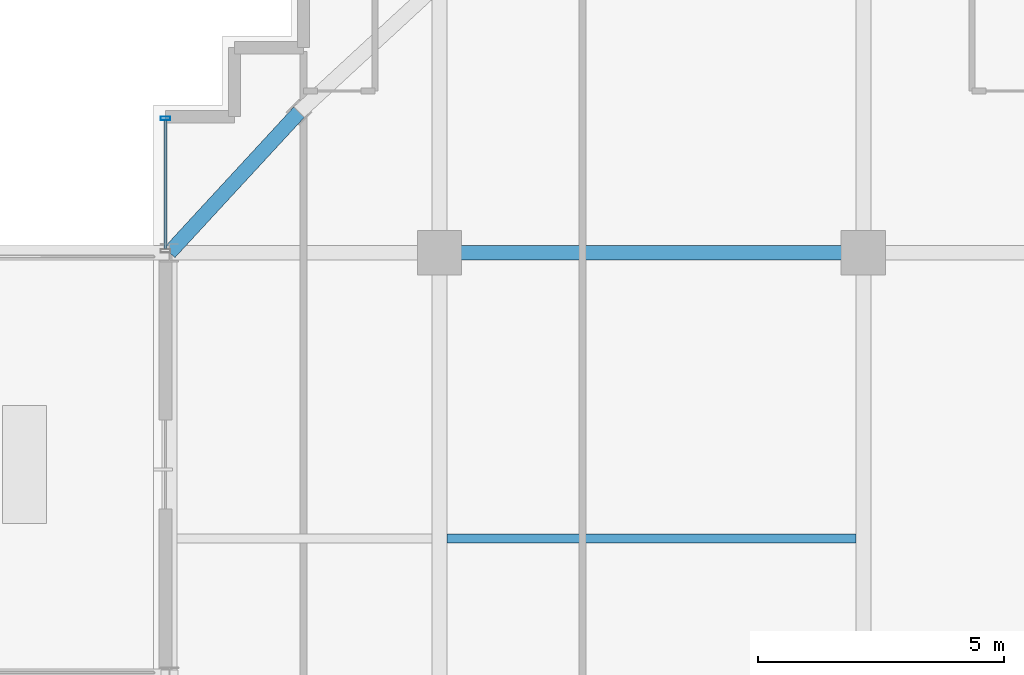
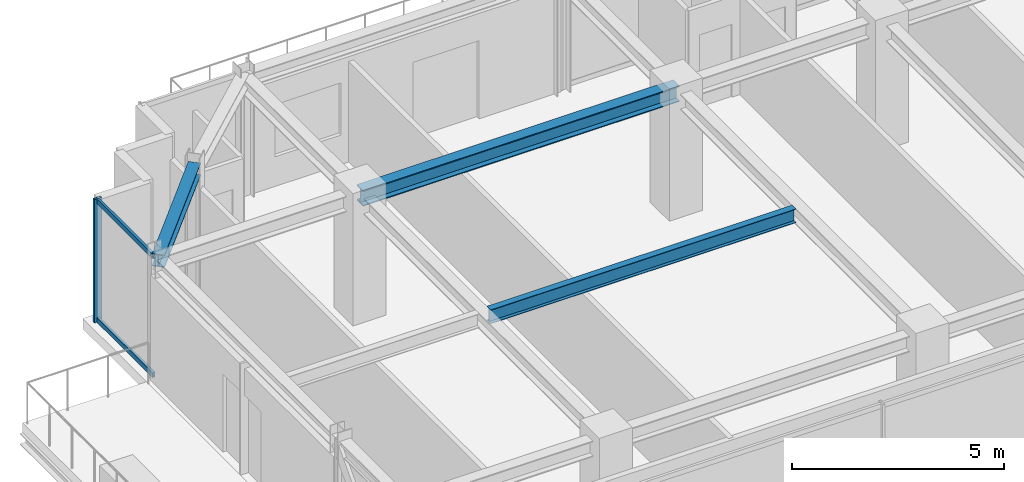
# One storey, part 25 of 41: 3 beams, 3 members, 1 element without a shape of its own.
"""IFC4 building model written with IfcOpenShell, lengths in metres."""

from ifc_helpers import new_model, si_unit, direction, frame, origin, origin_2d, place, context, subcontext, project, spatial, hollow_rectangle, i_section, extrude, source, transform, mapped, material, material_profile, profile_set, type_object, element, aggregate, save


model = new_model("IFC4")

# Units and contexts
model_context = context("Model", 3, precision=1e-05, world=origin(), true_north=direction((0.0, 1.0)))
body_context = subcontext(model_context, "Body", "Model", "MODEL_VIEW")
ifc_project = project(units=[si_unit("LENGTHUNIT", "METRE"), si_unit("AREAUNIT", "SQUARE_METRE"), si_unit("VOLUMEUNIT", "CUBIC_METRE"), si_unit("PLANEANGLEUNIT", "RADIAN"), si_unit("MASSUNIT", "GRAM", prefix="KILO")], contexts=[model_context])

# Site, building, storey
site_placement = place(None, origin())
site = spatial("IfcSite", under=ifc_project, at=site_placement, CompositionType="ELEMENT")
building_placement = place(site_placement, origin())
building = spatial("IfcBuilding", under=site, at=building_placement, Name="Nahalor Promenade Grand Hotel", CompositionType="ELEMENT")
storey_placement = place(building_placement, frame((0.0, 0.0, 304.199951171875)))
storey = spatial("IfcBuildingStorey", under=building, at=storey_placement, Name="L78", CompositionType="ELEMENT", Elevation=304.199951171875)

# Beams
ifc_material_1 = material(Name="Steel S355JR", Category="steel")
ifc_material_profile_1 = material_profile(ifc_material_1, i_section(OverallWidth=0.3, OverallDepth=0.45, WebThickness=0.014, FlangeThickness=0.026, at=origin_2d()), Name="HEB 450")
ifc_profile_set_1 = profile_set([ifc_material_profile_1], Name="Steel S355JR")
beam_type_1 = type_object("IfcBeamType", Name="Beam-Girder-HEB450", PredefinedType="BEAM", material=ifc_profile_set_1)
shared_shape_1 = source(origin(), body_context, "Body", "SweptSolid", [
    extrude(i_section(OverallWidth=0.3, OverallDepth=0.45, WebThickness=0.014, FlangeThickness=0.026, at=origin_2d()), origin(), (0.0, 0.0, 1.0), 8.60009765625),
])
beam_1_placement = place(storey_placement, frame((-17.0, 17.0, 3.324951171875), z_axis=(1.0, 0.0, 0.0), x_axis=(0.0, 1.0, 0.0)))
element("IfcBeam", 1, at=beam_1_placement, inside=storey, type_object=beam_type_1, Name="BM-L78-GX-3-1", PredefinedType="BEAM", context=body_context, shape_type="MappedRepresentation", body=[
    mapped(shared_shape_1, transform((0.0, 0.0, 0.0), scale=1.0)),
])
ifc_material_profile_2 = material_profile(ifc_material_1, i_section(OverallWidth=0.18, OverallDepth=0.4, WebThickness=0.0086, FlangeThickness=0.0135, at=origin_2d()), Name="IPE 400")
ifc_profile_set_2 = profile_set([ifc_material_profile_2], Name="Steel S355JR")
beam_type_2 = type_object("IfcBeamType", Name="Beam-Joist-IPE400", PredefinedType="JOIST", material=ifc_profile_set_2)
shared_shape_2 = source(origin(), body_context, "Body", "SweptSolid", [
    extrude(i_section(OverallWidth=0.18, OverallDepth=0.4, WebThickness=0.0086, FlangeThickness=0.0135, at=origin_2d()), origin(), (0.0, 0.0, 1.0), 8.300048828125),
])
beam_2_placement = place(storey_placement, frame((-16.85009765625, 11.199951171875, 3.35009765625), z_axis=(1.0, 0.0, 0.0), x_axis=(0.0, 1.0, 0.0)))
element("IfcBeam", 2, at=beam_2_placement, inside=storey, type_object=beam_type_2, Name="BM-L78-JSW-1-1", PredefinedType="JOIST", context=body_context, shape_type="MappedRepresentation", body=[
    mapped(shared_shape_2, transform((0.0, 0.0, 0.0), scale=1.0)),
])
ifc_material_profile_3 = material_profile(ifc_material_1, i_section(OverallWidth=0.3, OverallDepth=0.36, WebThickness=0.0125, FlangeThickness=0.0225, at=origin_2d()), Name="HEB 360")
ifc_profile_set_3 = profile_set([ifc_material_profile_3], Name="Steel S355JR")
beam_type_3 = type_object("IfcBeamType", Name="Beam-Spandrel-HEB360", PredefinedType="SPANDREL", material=ifc_profile_set_3)
shared_shape_3 = source(origin(), body_context, "Body", "SweptSolid", [
    extrude(i_section(OverallWidth=0.3, OverallDepth=0.36, WebThickness=0.0125, FlangeThickness=0.0225, at=origin_2d()), origin(), (0.0, 0.0, 1.0), 3.878173828125),
])
beam_3_placement = place(storey_placement, frame((-19.85009765625, 19.85009765625, 3.3701171875), z_axis=(-0.678144125843, -0.73492893846, 0.0), x_axis=(0.73492893846, -0.678144125843, 0.0)))
element("IfcBeam", 3, at=beam_3_placement, inside=storey, type_object=beam_type_3, Name="BM-L78-SPC-NW-2", PredefinedType="SPANDREL", context=body_context, shape_type="MappedRepresentation", body=[
    mapped(shared_shape_3, transform((0.0, 0.0, 0.0), scale=1.0)),
])

# Curtain wall, members
ifc_material_2 = material(Name="Anodised Bronze Aluminium EN AW-6063 T6", Category="aluminium")
curtain_wall_type = type_object("IfcCurtainWallType", Name="CW3 Elliptical-Void Collar Unitised Curtain Wall", PredefinedType="USERDEFINED", material=ifc_material_2)
curtain_wall_placement = place(storey_placement, origin())
curtain_wall = element("IfcCurtainWall", 4, at=curtain_wall_placement, inside=storey, type_object=curtain_wall_type, Name="L78 Curtain Wall CW-L78-W-4", ObjectType="UNITISED_CURTAIN_WALL", PredefinedType="USERDEFINED")
ifc_material_profile_4 = material_profile(ifc_material_2, hollow_rectangle(XDim=0.07, YDim=0.14, WallThickness=0.004, at=origin_2d()), Name="CWT 70x140x4")
ifc_profile_set_4 = profile_set([ifc_material_profile_4], Name="Anodised Bronze Aluminium EN AW-6063 T6")
member_type_1 = type_object("IfcMemberType", Name="CWT3 Void Collar Transom 70x140", PredefinedType="USERDEFINED", material=ifc_profile_set_4)
shared_shape_4 = source(origin(), body_context, "Body", "SweptSolid", [
    extrude(hollow_rectangle(XDim=0.07, YDim=0.14, WallThickness=0.004, at=origin_2d()), origin(), (0.0, 0.0, 1.0), 2.619873046875),
])
member_1_placement = place(storey_placement, frame((-22.56005859375, 17.070068359375, 0.070068359375), z_axis=(0.0, 1.0, 0.0), x_axis=(-1.0, 0.0, 0.0)))
member_1 = element("IfcMember", 5, at=member_1_placement, type_object=member_type_1, Name="CW-L78-W-4 Transom 0-0", ObjectType="TRANSOM", PredefinedType="USERDEFINED", context=body_context, shape_type="MappedRepresentation", body=[
    mapped(shared_shape_4, transform((0.0, 0.0, 0.0), scale=1.0)),
])
member_2_placement = place(storey_placement, frame((-22.56005859375, 17.070068359375, 3.47998046875), z_axis=(0.0, 1.0, 0.0), x_axis=(-1.0, 0.0, 0.0)))
member_2 = element("IfcMember", 6, at=member_2_placement, type_object=member_type_1, Name="CW-L78-W-4 Transom 0-1", ObjectType="TRANSOM", PredefinedType="USERDEFINED", context=body_context, shape_type="MappedRepresentation", body=[
    mapped(shared_shape_4, transform((0.0, 0.0, 0.0), scale=1.0)),
])
ifc_material_profile_5 = material_profile(ifc_material_2, hollow_rectangle(XDim=0.07, YDim=0.2, WallThickness=0.005, at=origin_2d()), Name="CWM 70x200x5")
ifc_profile_set_5 = profile_set([ifc_material_profile_5], Name="Anodised Bronze Aluminium EN AW-6063 T6")
member_type_2 = type_object("IfcMemberType", Name="CWM3 Void Collar Mullion 70x200", PredefinedType="MULLION", material=ifc_profile_set_5)
shared_shape_5 = source(origin(), body_context, "Body", "SweptSolid", [
    extrude(hollow_rectangle(XDim=0.07, YDim=0.2, WallThickness=0.005, at=origin_2d()), origin(), (0.0, 0.0, 1.0), 3.550048828125),
])
member_3_placement = place(storey_placement, frame((-22.56005859375, 19.72509765625, 0.0), z_axis=(0.0, 0.0, 1.0), x_axis=(0.0, 1.0, 0.0)))
member_3 = element("IfcMember", 7, at=member_3_placement, type_object=member_type_2, Name="CW-L78-W-4 Mullion 1", PredefinedType="MULLION", context=body_context, shape_type="MappedRepresentation", body=[
    mapped(shared_shape_5, transform((0.0, 0.0, 0.0), scale=1.0)),
])
aggregate(curtain_wall, [member_3, member_1, member_2])

save(model, "model.ifc")
